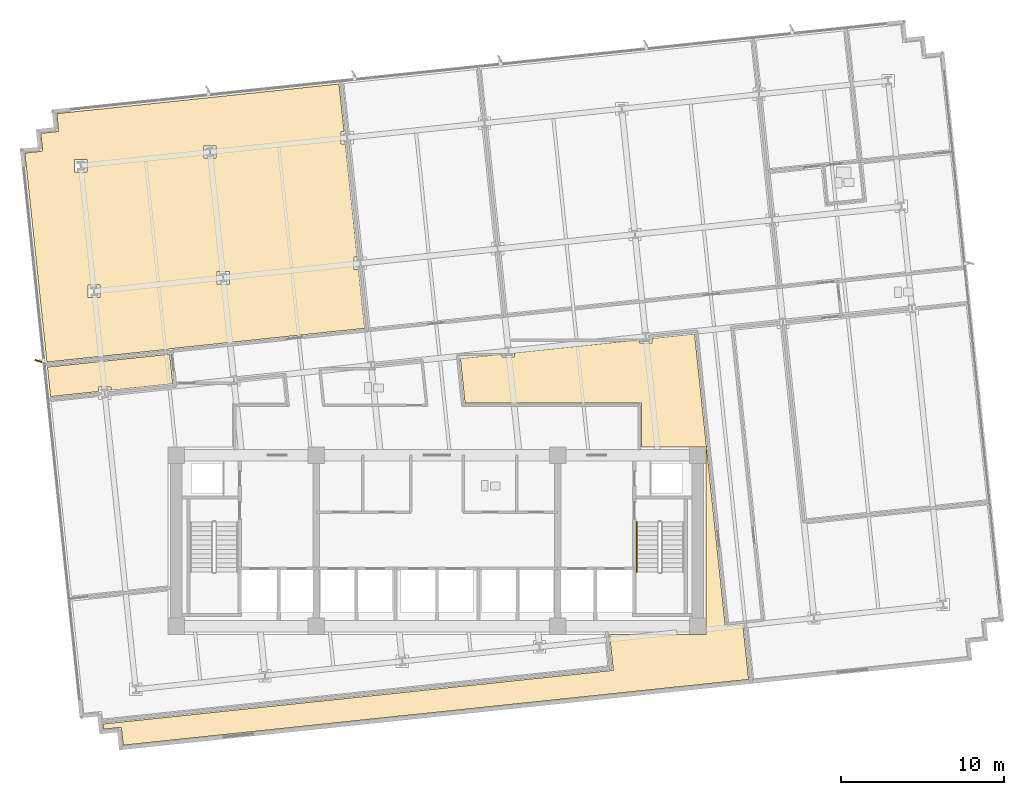
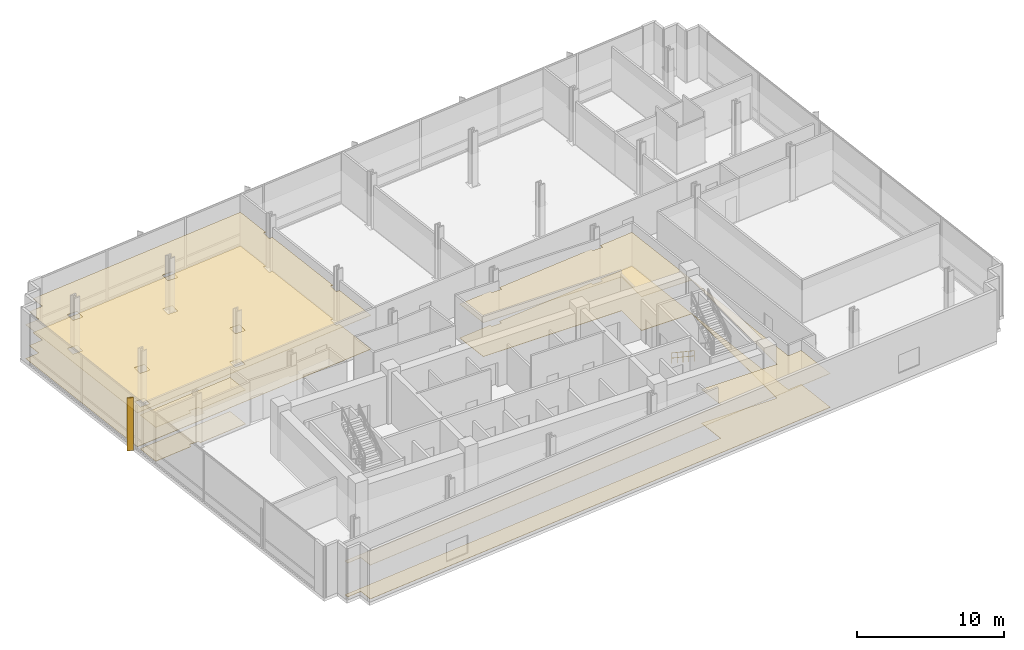
# One storey, part 17 of 20: 6 coverings, 1 railing, 1 shading device.
"""IFC4 building model written with IfcOpenShell, lengths in metres."""

from ifc_helpers import new_model, si_unit, direction, frame, origin, origin_2d, place, context, subcontext, project, spatial, polyline, rectangle, circle, outline, extrude, material, layer, layer_set, type_object, element, save


model = new_model("IFC4")

# Units and contexts
model_context = context("Model", 3, precision=1e-05, world=origin(), true_north=direction((0.0, 1.0)))
body_context = subcontext(model_context, "Body", "Model", "MODEL_VIEW")
ifc_project = project(units=[si_unit("LENGTHUNIT", "METRE"), si_unit("AREAUNIT", "SQUARE_METRE"), si_unit("VOLUMEUNIT", "CUBIC_METRE"), si_unit("PLANEANGLEUNIT", "RADIAN"), si_unit("MASSUNIT", "GRAM", prefix="KILO")], contexts=[model_context])

# Site, building, storey
site_placement = place(None, origin())
site = spatial("IfcSite", under=ifc_project, at=site_placement, CompositionType="ELEMENT")
building_placement = place(site_placement, origin())
building = spatial("IfcBuilding", under=site, at=building_placement, Name="Solmavex Isthmus Hotel", CompositionType="ELEMENT")
storey_placement = place(building_placement, frame((0.0, 0.0, 97.35009765625)))
storey = spatial("IfcBuildingStorey", under=building, at=storey_placement, Name="L26", CompositionType="ELEMENT", Elevation=97.35009765625)

# Coverings
ifc_material_1 = material(Name="Gypsum plasterboard lining", Category="gypsum")
ifc_layer_1 = layer(ifc_material_1, 0.030029296875)
ifc_layer_set_1 = layer_set([ifc_layer_1], Name="Gypsum plasterboard lining")
covering_type_1 = type_object("IfcCoveringType", Name="COV-CEIL-GYP", PredefinedType="CEILING", material=ifc_layer_set_1)
covering_1_placement = place(storey_placement, frame((0.0, 0.0, 2.7998046875)))
element("IfcCovering", 1, at=covering_1_placement, inside=storey, type_object=covering_type_1, Name="Suspended Acoustic Ceiling L26-RM01", PredefinedType="CEILING", context=body_context, shape_type="SweptSolid", body=[
    extrude(outline(polyline([(-16.43212890625, 3.99853515625), (-16.43408203125, 4.0185546875), (-4.434326171875, 5.27978515625), (-4.8134765625, 8.886962890625), (-5.077392578125, 8.886962890625), (-5.077392578125, 9.64697265625), (-4.893310546875, 9.64697265625), (-5.623779296875, 16.5966796875), (-5.8876953125, 16.5966796875), (-5.8876953125, 17.356689453125), (-5.70361328125, 17.356689453125), (-6.009521484375, 20.26708984375), (-22.49755859375, 18.5341796875), (-23.318115234375, 18.447998046875), (-23.203125, 17.35400390625), (-24.297119140625, 17.239013671875), (-24.18212890625, 16.14501953125), (-25.276123046875, 16.030029296875), (-25.18994140625, 15.20947265625), (-23.9287109375, 3.210693359375), (-16.43212890625, 3.99853515625)]), holes=[polyline([(-13.4970703125, 8.002197265625), (-13.4970703125, 8.76220703125), (-12.737060546875, 8.76220703125), (-12.737060546875, 8.002197265625), (-13.4970703125, 8.002197265625)]), polyline([(-14.307373046875, 16.4716796875), (-13.54736328125, 16.4716796875), (-13.54736328125, 15.711669921875), (-14.307373046875, 15.711669921875), (-14.307373046875, 16.4716796875)]), polyline([(-21.42138671875, 7.169189453125), (-21.42138671875, 7.92919921875), (-20.661376953125, 7.92919921875), (-20.661376953125, 7.169189453125), (-21.42138671875, 7.169189453125)]), polyline([(-22.231689453125, 14.878662109375), (-22.231689453125, 15.638671875), (-21.4716796875, 15.638671875), (-21.4716796875, 14.878662109375), (-22.231689453125, 14.878662109375)])]), origin(), (0.0, 0.0, 1.0), 0.030029296875),
])
covering_2_placement = place(storey_placement, frame((0.0, 0.0, 2.7998046875)))
element("IfcCovering", 2, at=covering_2_placement, inside=storey, type_object=covering_type_1, Name="Suspended Acoustic Ceiling L26-FL07", PredefinedType="CEILING", context=body_context, shape_type="SweptSolid", body=[
    extrude(outline(polyline([(-16.20947265625, 1.88037109375), (-16.399658203125, 3.690185546875), (-23.896240234375, 2.90234375), (-23.7060546875, 1.09228515625), (-20.76318359375, 1.401611328125), (-20.76318359375, 1.665771484375), (-20.003173828125, 1.665771484375), (-20.003173828125, 1.4814453125), (-16.20947265625, 1.88037109375)])), origin(), (0.0, 0.0, 1.0), 0.030029296875),
])
covering_3_placement = place(storey_placement, frame((0.0, 0.0, 2.7998046875)))
element("IfcCovering", 3, at=covering_3_placement, inside=storey, type_object=covering_type_1, Name="Suspended Acoustic Ceiling L26-FL11", PredefinedType="CEILING", context=body_context, shape_type="SweptSolid", body=[
    extrude(outline(polyline([(4.760498046875, 3.7724609375), (4.760498046875, 3.508544921875), (4.00048828125, 3.508544921875), (4.00048828125, 3.692626953125), (1.43505859375, 3.423095703125), (1.720703125, 0.705078125), (12.554931640625, 0.705078125), (12.554931640625, -1.9951171875), (16.5048828125, -1.9951171875), (16.5048828125, -13.5048828125), (10.587646484375, -13.5048828125), (10.818359375, -15.700927734375), (-20.4892578125, -18.991455078125), (-20.455810546875, -19.3095703125), (-19.36181640625, -19.194580078125), (-19.246826171875, -20.28857421875), (-18.42626953125, -20.202392578125), (10.812744140625, -17.12939453125), (19.112060546875, -16.257080078125), (18.947265625, -14.690673828125), (18.759765625, -12.905517578125), (17.6845703125, -13.0185546875), (15.7978515625, 4.9326171875), (13.18017578125, 4.657470703125), (13.18017578125, 4.393310546875), (12.420166015625, 4.393310546875), (12.420166015625, 4.57763671875), (4.760498046875, 3.7724609375)])), origin(), (0.0, 0.0, 1.0), 0.030029296875),
])
ifc_material_2 = material(Name="Travertine natural stone", Category="masonry")
ifc_layer_2 = layer(ifc_material_2, 0.02490234375)
ifc_layer_set_2 = layer_set([ifc_layer_2], Name="Travertine natural stone")
covering_type_2 = type_object("IfcCoveringType", Name="COV-FLOR-STN", PredefinedType="FLOORING", material=ifc_layer_set_2)
covering_4_placement = place(storey_placement, origin())
element("IfcCovering", 4, at=covering_4_placement, inside=storey, type_object=covering_type_2, Name="Stone and Timber Floor Finish L26-RM01", PredefinedType="FLOORING", context=body_context, shape_type="SweptSolid", body=[
    extrude(outline(polyline([(-16.43212890625, 3.99853515625), (-16.43408203125, 4.0185546875), (-4.434326171875, 5.27978515625), (-4.8134765625, 8.886962890625), (-5.077392578125, 8.886962890625), (-5.077392578125, 9.64697265625), (-4.893310546875, 9.64697265625), (-5.623779296875, 16.5966796875), (-5.8876953125, 16.5966796875), (-5.8876953125, 17.356689453125), (-5.70361328125, 17.356689453125), (-6.009521484375, 20.26708984375), (-22.49755859375, 18.5341796875), (-23.318115234375, 18.447998046875), (-23.203125, 17.35400390625), (-24.297119140625, 17.239013671875), (-24.18212890625, 16.14501953125), (-25.276123046875, 16.030029296875), (-25.18994140625, 15.20947265625), (-23.9287109375, 3.210693359375), (-16.43212890625, 3.99853515625)]), holes=[polyline([(-13.4970703125, 8.002197265625), (-13.4970703125, 8.76220703125), (-12.737060546875, 8.76220703125), (-12.737060546875, 8.002197265625), (-13.4970703125, 8.002197265625)]), polyline([(-14.307373046875, 16.4716796875), (-13.54736328125, 16.4716796875), (-13.54736328125, 15.711669921875), (-14.307373046875, 15.711669921875), (-14.307373046875, 16.4716796875)]), polyline([(-21.42138671875, 7.169189453125), (-21.42138671875, 7.92919921875), (-20.661376953125, 7.92919921875), (-20.661376953125, 7.169189453125), (-21.42138671875, 7.169189453125)]), polyline([(-22.231689453125, 14.878662109375), (-22.231689453125, 15.638671875), (-21.4716796875, 15.638671875), (-21.4716796875, 14.878662109375), (-22.231689453125, 14.878662109375)])]), origin(), (0.0, 0.0, 1.0), 0.02490234375),
])
covering_5_placement = place(storey_placement, origin())
element("IfcCovering", 5, at=covering_5_placement, inside=storey, type_object=covering_type_2, Name="Stone and Timber Floor Finish L26-FL07", PredefinedType="FLOORING", context=body_context, shape_type="SweptSolid", body=[
    extrude(outline(polyline([(-16.20947265625, 1.88037109375), (-16.399658203125, 3.690185546875), (-23.896240234375, 2.90234375), (-23.7060546875, 1.09228515625), (-20.76318359375, 1.401611328125), (-20.76318359375, 1.665771484375), (-20.003173828125, 1.665771484375), (-20.003173828125, 1.4814453125), (-16.20947265625, 1.88037109375)])), origin(), (0.0, 0.0, 1.0), 0.02490234375),
])
covering_6_placement = place(storey_placement, origin())
element("IfcCovering", 6, at=covering_6_placement, inside=storey, type_object=covering_type_2, Name="Stone and Timber Floor Finish L26-FL11", PredefinedType="FLOORING", context=body_context, shape_type="SweptSolid", body=[
    extrude(outline(polyline([(4.760498046875, 3.7724609375), (4.760498046875, 3.508544921875), (4.00048828125, 3.508544921875), (4.00048828125, 3.692626953125), (1.43505859375, 3.423095703125), (1.720703125, 0.705078125), (12.554931640625, 0.705078125), (12.554931640625, -1.9951171875), (16.5048828125, -1.9951171875), (16.5048828125, -13.5048828125), (10.587646484375, -13.5048828125), (10.818359375, -15.700927734375), (-20.4892578125, -18.991455078125), (-20.455810546875, -19.3095703125), (-19.36181640625, -19.194580078125), (-19.246826171875, -20.28857421875), (-18.42626953125, -20.202392578125), (10.812744140625, -17.12939453125), (19.112060546875, -16.257080078125), (18.947265625, -14.690673828125), (18.759765625, -12.905517578125), (17.6845703125, -13.0185546875), (15.7978515625, 4.9326171875), (13.18017578125, 4.657470703125), (13.18017578125, 4.393310546875), (12.420166015625, 4.393310546875), (12.420166015625, 4.57763671875), (4.760498046875, 3.7724609375)])), origin(), (0.0, 0.0, 1.0), 0.02490234375),
])

# Railing
ifc_material_3 = material(Name="Stainless steel 316", Category="steel")
ifc_layer_3 = layer(ifc_material_3, 0.050048828125)
ifc_layer_set_3 = layer_set([ifc_layer_3], Name="Stainless steel 316")
railing_type = type_object("IfcRailingType", Name="RAIL-STAIR-HR", PredefinedType="HANDRAIL", material=ifc_layer_set_3)
railing_placement = place(storey_placement, frame((12.25, -6.60009765625, 0.1875)))
element("IfcRailing", 7, at=railing_placement, inside=storey, type_object=railing_type, Name="L26 ST-2 stair handrail 1", PredefinedType="HANDRAIL", context=body_context, shape_type="SweptSolid", body=[
    extrude(circle(Radius=0.02392578125, at=origin_2d()), frame((0.0, 0.0, 0.8759765625), z_axis=(0.0, -0.830893310487, 0.556431762742), x_axis=(1.0, 0.0, 0.0)), (0.0, 0.0, 1.0), 3.70654296875),
    extrude(circle(Radius=0.02392578125, at=origin_2d()), frame((0.0, 0.0, 0.449951171875), z_axis=(0.0, -0.830893310487, 0.556431762742), x_axis=(1.0, 0.0, 0.0)), (0.0, 0.0, 1.0), 3.70654296875),
    extrude(circle(Radius=0.02099609375, at=origin_2d()), origin(), (0.0, 0.0, 1.0), 0.851806640625),
    extrude(circle(Radius=0.02099609375, at=origin_2d()), frame((0.0, -0.77001953125, 0.515625)), (0.0, 0.0, 1.0), 0.851806640625),
    extrude(circle(Radius=0.02099609375, at=origin_2d()), frame((0.0, -1.5400390625, 1.03125)), (0.0, 0.0, 1.0), 0.851806640625),
    extrude(circle(Radius=0.02099609375, at=origin_2d()), frame((0.0, -2.309814453125, 1.546875)), (0.0, 0.0, 1.0), 0.851806640625),
    extrude(circle(Radius=0.02099609375, at=origin_2d()), frame((0.0, -3.079833984375, 2.0625)), (0.0, 0.0, 1.0), 0.851806640625),
])

# Shading device
ifc_material_4 = material(Name="Aluminium alloy 6063-T6", Category="aluminium")
shading_device_type = type_object("IfcShadingDeviceType", Name="SHD-FIN-BRONZE", PredefinedType="USERDEFINED", material=ifc_material_4)
shading_device_placement = place(storey_placement, frame((-24.452880859375, 3.271240234375, -0.14013671875), z_axis=(0.0, 0.0, 1.0), x_axis=(-0.951056516295, 0.309016994375, 0.0)))
element("IfcShadingDevice", 8, at=shading_device_placement, inside=storey, type_object=shading_device_type, Name="Anodised Aluminium Solar Fin L26-W1", ObjectType="SOLAR_FIN", PredefinedType="USERDEFINED", context=body_context, shape_type="SweptSolid", body=[
    extrude(rectangle(XDim=0.449951171875, YDim=0.080078125, at=origin_2d()), origin(), (0.0, 0.0, 1.0), 4.3798828125),
])

save(model, "model.ifc")
